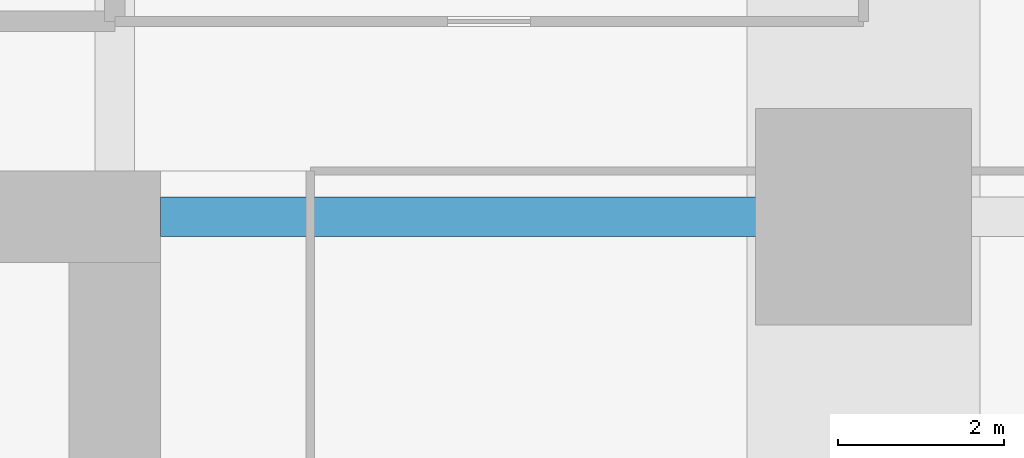
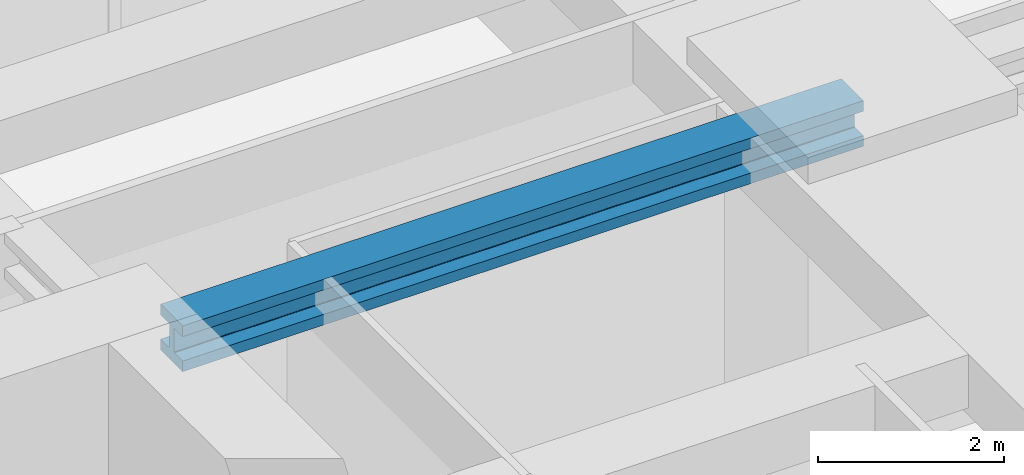
# One storey, part 36 of 45: 1 beam.
"""IFC4 building model written with IfcOpenShell, lengths in metres."""

import ifcopenshell
import ifcopenshell.guid

model = None  # the IFC model being written
_history = None  # IfcOwnerHistory: only IFC2X3 demands one
_inside = {}  # id of a spatial element -> (the spatial element, [elements in it])
_under = {}  # id of a project, library or spatial element -> (it, [spatial elements below it])
_declared = {}  # id of a project -> (the project, [libraries it declares])
_typed = {}  # id of a type object -> (the type object, [elements of that type])
_made_of = {}  # id of a material, layer set ... -> (it, [elements and type objects made of it])


def new_model(schema):
    """Start an empty IFC model of exactly this schema.

    Asked for "IFC4X3", IfcOpenShell would pick the latest addendum, in which some entities
    have other attributes; the version numbers below select the first issue.
    IFC2X3 requires an IfcOwnerHistory on every rooted entity: one is made here for all.
    """
    global model, _history
    if schema == "IFC4X3":
        model = ifcopenshell.file(schema_version=(4, 3, 0, 0))
    else:
        model = ifcopenshell.file(schema=schema)
    _inside.clear()
    _under.clear()
    _declared.clear()
    _typed.clear()
    _made_of.clear()
    _history = None
    if model.schema == "IFC2X3":
        org = make("IfcOrganization", Name="unknown")
        user = make(
            "IfcPersonAndOrganization",
            ThePerson=make("IfcPerson", FamilyName="unknown"),
            TheOrganization=org,
        )
        app = make(
            "IfcApplication",
            ApplicationDeveloper=org,
            Version="unknown",
            ApplicationFullName="unknown",
            ApplicationIdentifier="unknown",
        )
        _history = make(
            "IfcOwnerHistory",
            OwningUser=user,
            OwningApplication=app,
            ChangeAction="ADDED",
            CreationDate=0,
        )
    return model


def make(cls, **values):
    """One entity of the class cls with the attributes given. An attribute that is None is left unset."""
    return model.create_entity(
        cls, **{name: value for name, value in values.items() if value is not None}
    )


def rooted(cls, **values):
    """An entity with a GlobalId (a new one), such as an element, a storey or a relation."""
    return make(cls, GlobalId=ifcopenshell.guid.new(), OwnerHistory=_history, **values)


def si_unit(unit_type, name, prefix=None):
    """IfcSIUnit, for example si_unit("LENGTHUNIT", "METRE", prefix="MILLI")."""
    return make("IfcSIUnit", UnitType=unit_type, Prefix=prefix, Name=name)


def assignment(units):
    """IfcUnitAssignment: the units of a project."""
    return None if units is None else make("IfcUnitAssignment", Units=units)


def point(xyz):
    """IfcCartesianPoint."""
    return None if xyz is None else make("IfcCartesianPoint", Coordinates=xyz)


def direction(xyz):
    """IfcDirection."""
    return None if xyz is None else make("IfcDirection", DirectionRatios=xyz)


def frame(location, z_axis=None, x_axis=None):
    """IfcAxis2Placement3D, a coordinate frame: its origin and axes. An axis left out is left unset."""
    return make(
        "IfcAxis2Placement3D",
        Location=point(location),
        Axis=direction(z_axis),
        RefDirection=direction(x_axis),
    )


def frame_2d(location, x_axis=None):
    """IfcAxis2Placement2D, a coordinate frame in the plane: its origin and x axis."""
    return make(
        "IfcAxis2Placement2D", Location=point(location), RefDirection=direction(x_axis)
    )


def origin():
    """The frame at (0, 0, 0) with its axes left unset."""
    return frame((0.0, 0.0, 0.0))


def origin_2d():
    """The frame at (0, 0) in the plane with its x axis left unset."""
    return frame_2d((0.0, 0.0))


def place(relative_to, where):
    """IfcLocalPlacement: puts the frame where relative to a parent placement (None: the world)."""
    return make(
        "IfcLocalPlacement", PlacementRelTo=relative_to, RelativePlacement=where
    )


def context(
    kind, dimensions, precision=None, world=None, true_north=None, identifier=None
):
    """IfcGeometricRepresentationContext, for example the 3D "Model" context."""
    return make(
        "IfcGeometricRepresentationContext",
        ContextIdentifier=identifier,
        ContextType=kind,
        CoordinateSpaceDimension=dimensions,
        Precision=precision,
        WorldCoordinateSystem=world,
        TrueNorth=true_north,
    )


def subcontext(parent, identifier, kind, view, scale=None):
    """IfcGeometricRepresentationSubContext, for example "Body" below "Model"."""
    return make(
        "IfcGeometricRepresentationSubContext",
        ContextIdentifier=identifier,
        ContextType=kind,
        ParentContext=parent,
        TargetScale=scale,
        TargetView=view,
    )


def project(units=None, contexts=None):
    """IfcProject with its units and contexts."""
    return rooted(
        "IfcProject",
        Name="project",
        RepresentationContexts=contexts,
        UnitsInContext=assignment(units),
    )


def spatial(cls, under=None, at=None, **own):
    """A site, building, storey or space (cls), placed at a placement, below another one or the project."""
    s = rooted(cls, ObjectPlacement=at, **own)
    if under is not None:
        _under.setdefault(under.id(), (under, []))[1].append(s)
    return s


def profile(cls, at=None, kind="AREA", **sizes):
    """A parametric profile (cls). Its sizes go by their IFC names, for example OverallWidth=200.0."""
    return make(cls, ProfileType=kind, Position=at, **sizes)


def i_section(**sizes):
    """IfcIShapeProfileDef."""
    return profile("IfcIShapeProfileDef", **sizes)


def extrude(swept, where, along, depth):
    """IfcExtrudedAreaSolid: the profile swept, set in the frame where, extruded along a direction by depth."""
    return make(
        "IfcExtrudedAreaSolid",
        SweptArea=swept,
        Position=where,
        ExtrudedDirection=direction(along),
        Depth=depth,
    )


def shape(context_of_items, identifier, shape_type, items):
    """IfcShapeRepresentation: the items that make up one representation, for example the "Body"."""
    return make(
        "IfcShapeRepresentation",
        ContextOfItems=context_of_items,
        RepresentationIdentifier=identifier,
        RepresentationType=shape_type,
        Items=items,
    )


def material(Name=None, Category=None):
    """IfcMaterial."""
    return make("IfcMaterial", Name=Name, Category=Category)


def material_profile(
    of_material, cross_section, Name=None, Category=None, Priority=None
):
    """IfcMaterialProfile: a cross section and its material."""
    return make(
        "IfcMaterialProfile",
        Name=Name,
        Material=of_material,
        Profile=cross_section,
        Priority=Priority,
        Category=Category,
    )


def profile_set(profiles, Name=None, composite=None):
    """IfcMaterialProfileSet."""
    return make(
        "IfcMaterialProfileSet",
        Name=Name,
        MaterialProfiles=profiles,
        CompositeProfile=composite,
    )


def made_of(thing, what):
    """Note that an element or type object is made of a material, layer set ...; save() writes the relation."""
    if what is not None:
        _made_of.setdefault(what.id(), (what, []))[1].append(thing)
    return thing


def type_object(cls, material=None, **own):
    """A type object (cls), such as IfcWallType, which elements share."""
    return made_of(rooted(cls, **own), material)


def element(
    cls,
    number,
    at=None,
    inside=None,
    cuts=None,
    type_object=None,
    material=None,
    context=None,
    identifier="Body",
    shape_type=None,
    held_by="IfcProductDefinitionShape",
    body=None,
    shapes=None,
    **own,
):
    """One element of the class cls, such as IfcWall. Its Tag is "e" and its number.

    at: its placement. inside: the storey or other place that contains it. cuts: it is an
    opening in that element (IfcRelVoidsElement). A single representation is given by context,
    identifier, shape_type and body (its items); several are given by shapes. held_by: the class
    of the entity that holds the representations. save() writes the other relations.
    """
    e = rooted(cls, Tag="e%d" % number, ObjectPlacement=at, **own)
    if body is not None:
        shapes = [shape(context, identifier, shape_type, body)]
    if shapes is not None:
        e.Representation = make(held_by, Representations=shapes)
    if inside is not None:
        _inside.setdefault(inside.id(), (inside, []))[1].append(e)
    if cuts is not None:
        rooted(
            "IfcRelVoidsElement", RelatingBuildingElement=cuts, RelatedOpeningElement=e
        )
    if type_object is not None:
        _typed.setdefault(type_object.id(), (type_object, []))[1].append(e)
    return made_of(e, material)


def aggregate(whole, parts):
    """IfcRelAggregates: a whole, such as a stair, and the parts it consists of."""
    return rooted("IfcRelAggregates", RelatingObject=whole, RelatedObjects=parts)


def save(model, path):
    """Write the relations noted so far, then the file.

    IfcRelAggregates (storeys below a building ...), IfcRelContainedInSpatialStructure (elements
    in a storey), IfcRelDefinesByType, IfcRelAssociatesMaterial and IfcRelDeclares: one each for
    every whole, place, type object, material and project.
    """
    for whole, parts in _under.values():
        aggregate(whole, parts)
    for where, things in _inside.values():
        rooted(
            "IfcRelContainedInSpatialStructure",
            RelatedElements=things,
            RelatingStructure=where,
        )
    for kind, things in _typed.values():
        rooted("IfcRelDefinesByType", RelatedObjects=things, RelatingType=kind)
    for what, things in _made_of.values():
        rooted("IfcRelAssociatesMaterial", RelatedObjects=things, RelatingMaterial=what)
    for by, libraries in _declared.values():
        rooted("IfcRelDeclares", RelatingContext=by, RelatedDefinitions=libraries)
    model.write(path)


model = new_model("IFC4")

# Units and contexts
model_context = context("Model", 3, precision=1e-05, world=origin(), true_north=direction((0.0, 1.0)))
body_context = subcontext(model_context, "Body", "Model", "MODEL_VIEW")
ifc_project = project(units=[si_unit("LENGTHUNIT", "METRE"), si_unit("AREAUNIT", "SQUARE_METRE"), si_unit("VOLUMEUNIT", "CUBIC_METRE"), si_unit("PLANEANGLEUNIT", "RADIAN"), si_unit("MASSUNIT", "GRAM", prefix="KILO")], contexts=[model_context])

# Site, building, storey
site_placement = place(None, origin())
site = spatial("IfcSite", under=ifc_project, at=site_placement, CompositionType="ELEMENT")
building_placement = place(site_placement, origin())
building = spatial("IfcBuilding", under=site, at=building_placement, Name="Zorevar Civic Tower", CompositionType="ELEMENT")
storey_placement = place(building_placement, frame((0.0, 0.0, 153.0)))
storey = spatial("IfcBuildingStorey", under=building, at=storey_placement, Name="L37", CompositionType="ELEMENT", Elevation=153.0)

# Beam
ifc_material = material(Name="Steel S460M (HISTAR 460)", Category="steel")
ifc_material_profile = material_profile(ifc_material, i_section(OverallWidth=0.47607421875, OverallDepth=0.60009765625, WebThickness=0.10009765625, FlangeThickness=0.139892578125, FilletRadius=0.014892578125, at=origin_2d()), Name="HD 400x1299")
ifc_profile_set = profile_set([ifc_material_profile], Name="Steel S460M (HISTAR 460)")
beam_type = type_object("IfcBeamType", Name="Outrigger chord HD 400x1299", PredefinedType="BEAM", material=ifc_profile_set)
beam_placement = place(storey_placement, frame((45.550048828125, 36.0, 3.550048828125), z_axis=(1.0, 0.0, 0.0), x_axis=(0.0, 1.0, 0.0)))
element("IfcBeam", 1, at=beam_placement, inside=storey, type_object=beam_type, Name="Outrigger chord L38", PredefinedType="BEAM", context=body_context, shape_type="SweptSolid", body=[
    extrude(i_section(OverallWidth=0.47607421875, OverallDepth=0.60009765625, WebThickness=0.10009765625, FlangeThickness=0.139892578125, FilletRadius=0.014892578125, at=origin_2d()), origin(), (0.0, 0.0, 1.0), 8.449951171875),
])

save(model, "model.ifc")
